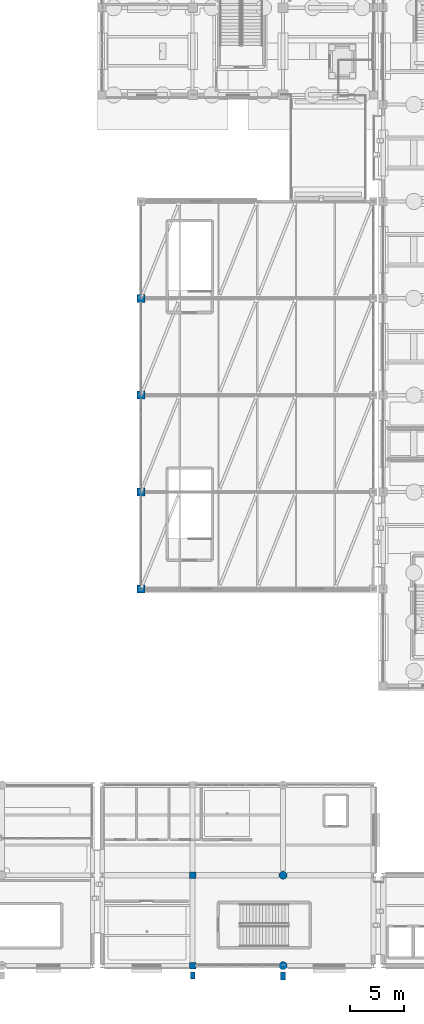
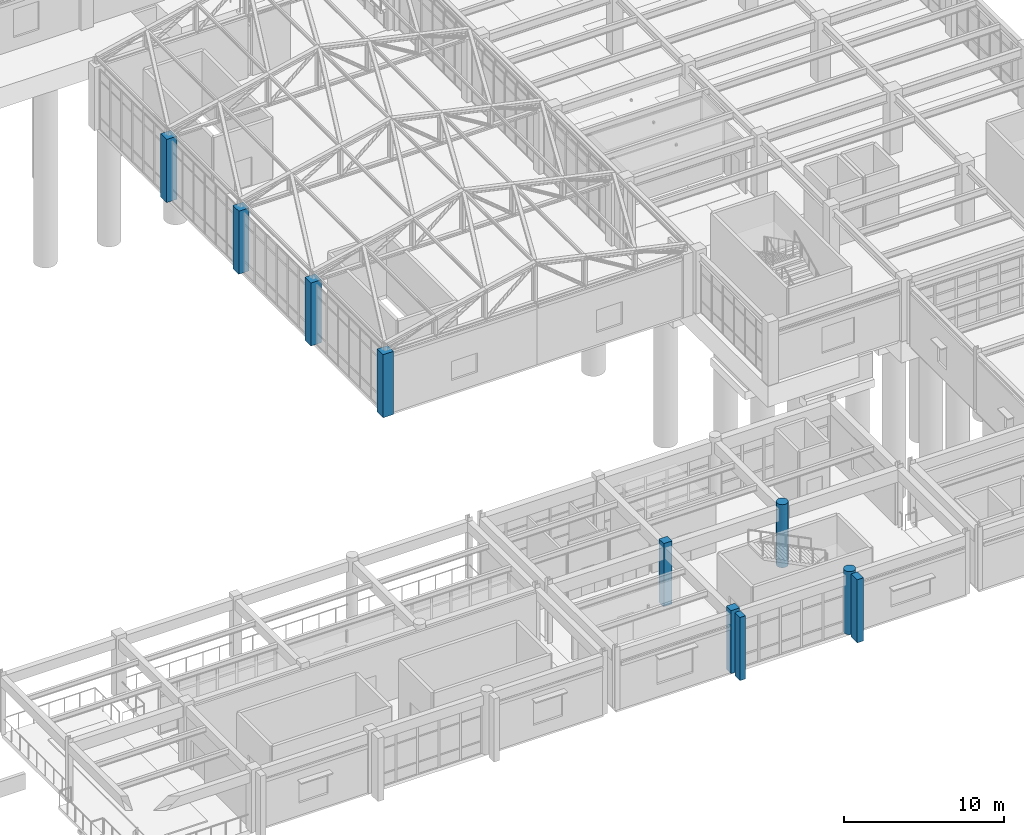
# One storey, part 4 of 139: 10 columns.
"""IFC4 building model written with IfcOpenShell, lengths in metres."""

from ifc_helpers import new_model, si_unit, direction, frame, origin, origin_2d, place, context, subcontext, project, spatial, rectangle, circle, extrude, material, material_profile, profile_set, type_object, element, save


model = new_model("IFC4")

# Units and contexts
model_context = context("Model", 3, precision=1e-05, world=origin(), true_north=direction((0.0, 1.0)))
body_context = subcontext(model_context, "Body", "Model", "MODEL_VIEW")
ifc_project = project(units=[si_unit("LENGTHUNIT", "METRE"), si_unit("AREAUNIT", "SQUARE_METRE"), si_unit("VOLUMEUNIT", "CUBIC_METRE"), si_unit("PLANEANGLEUNIT", "RADIAN"), si_unit("MASSUNIT", "GRAM", prefix="KILO")], contexts=[model_context])

# Site, building, storey
site_placement = place(None, origin())
site = spatial("IfcSite", under=ifc_project, at=site_placement, CompositionType="ELEMENT")
building_placement = place(site_placement, origin())
building = spatial("IfcBuilding", under=site, at=building_placement, Name="Canglan Escarpment Cableway Terminal", CompositionType="ELEMENT")
storey_placement = place(building_placement, frame((0.0, 0.0, 14.39990234375)))
storey = spatial("IfcBuildingStorey", under=building, at=storey_placement, Name="L03", CompositionType="ELEMENT", Elevation=14.39990234375)

# Columns
ifc_material = material(Name="Concrete C40", Category="concrete")
ifc_material_profile_1 = material_profile(ifc_material, rectangle(XDim=0.60009765625, YDim=0.60009765625, at=origin_2d()), Name="RC 600x600")
ifc_profile_set_1 = profile_set([ifc_material_profile_1], Name="Concrete C40")
column_type_1 = type_object("IfcColumnType", Name="COL-RC600-C40", PredefinedType="COLUMN", material=ifc_profile_set_1)
for number, where, z_axis, x_axis, name in (
    (1, (119.89990234375, 8.0, 0.0), (0.0, 0.0, 1.0), (1.0, 0.0, 0.0), "Structural column C-05"),
    (2, (119.89990234375, 16.39990234375, 0.0), (0.0, 0.0, 1.0), (1.0, 0.0, 0.0), "Structural column C-05"),
):
    element("IfcColumn", number, at=place(storey_placement, frame(where, z_axis=z_axis, x_axis=x_axis)), inside=storey, type_object=column_type_1, Name=name, PredefinedType="COLUMN", context=body_context, shape_type="SweptSolid", body=[
        extrude(rectangle(XDim=0.60009765625, YDim=0.60009765625, at=origin_2d()), origin(), (0.0, 0.0, 1.0), 4.800048828125),
    ])
ifc_material_profile_2 = material_profile(ifc_material, rectangle(XDim=0.75, YDim=0.75, at=origin_2d()), Name="RC 750x750")
ifc_profile_set_2 = profile_set([ifc_material_profile_2], Name="Concrete C40")
column_type_2 = type_object("IfcColumnType", Name="COL-RC750-C40", PredefinedType="COLUMN", material=ifc_profile_set_2)
for number, where, z_axis, x_axis, name in (
    (3, (115.10009765625, 43.0, 0.0), (0.0, 0.0, 1.0), (1.0, 0.0, 0.0), "Structural column C-03"),
    (4, (115.10009765625, 52.0, 0.0), (0.0, 0.0, 1.0), (1.0, 0.0, 0.0), "Structural column C-03"),
    (5, (115.10009765625, 61.0, 0.0), (0.0, 0.0, 1.0), (1.0, 0.0, 0.0), "Structural column C-03"),
    (6, (115.10009765625, 70.0, 0.0), (0.0, 0.0, 1.0), (1.0, 0.0, 0.0), "Structural column C-03"),
):
    element("IfcColumn", number, at=place(storey_placement, frame(where, z_axis=z_axis, x_axis=x_axis)), inside=storey, type_object=column_type_2, Name=name, PredefinedType="COLUMN", context=body_context, shape_type="SweptSolid", body=[
        extrude(rectangle(XDim=0.75, YDim=0.75, at=origin_2d()), origin(), (0.0, 0.0, 1.0), 4.800048828125),
    ])
ifc_material_profile_3 = material_profile(ifc_material, circle(Radius=0.375, at=origin_2d()), Name="RC-CIRC D750")
ifc_profile_set_3 = profile_set([ifc_material_profile_3], Name="Concrete C40")
column_type_3 = type_object("IfcColumnType", Name="COL-RCC750-C40", PredefinedType="COLUMN", material=ifc_profile_set_3)
for number, where, z_axis, x_axis, name in (
    (7, (128.300048828125, 8.0, 0.0), (0.0, 0.0, 1.0), (1.0, 0.0, 0.0), "Structural column C-07"),
    (8, (128.300048828125, 16.39990234375, 0.0), (0.0, 0.0, 1.0), (1.0, 0.0, 0.0), "Structural column C-07"),
):
    element("IfcColumn", number, at=place(storey_placement, frame(where, z_axis=z_axis, x_axis=x_axis)), inside=storey, type_object=column_type_3, Name=name, PredefinedType="COLUMN", context=body_context, shape_type="SweptSolid", body=[
        extrude(circle(Radius=0.375, at=origin_2d()), origin(), (0.0, 0.0, 1.0), 4.800048828125),
    ])
ifc_material_profile_4 = material_profile(ifc_material, rectangle(XDim=0.39990234375, YDim=0.64990234375, at=origin_2d()), Name="RC-PIL 400x650")
ifc_profile_set_4 = profile_set([ifc_material_profile_4], Name="Concrete C40")
column_type_4 = type_object("IfcColumnType", Name="PIL-RC400x650", PredefinedType="PILASTER", material=ifc_profile_set_4)
column_1_placement = place(storey_placement, frame((119.89990234375, 7.094970703125, 0.0), z_axis=(0.0, 0.0, 1.0), x_axis=(1.0, 0.0, 0.0)))
element("IfcColumn", 9, at=column_1_placement, inside=storey, type_object=column_type_4, Name="Neoclassical engaged pilaster PL-02", PredefinedType="PILASTER", context=body_context, shape_type="SweptSolid", body=[
    extrude(rectangle(XDim=0.39990234375, YDim=0.64990234375, at=origin_2d()), origin(), (0.0, 0.0, 1.0), 4.800048828125),
])
ifc_material_profile_5 = material_profile(ifc_material, rectangle(XDim=0.449951171875, YDim=0.75, at=origin_2d()), Name="RC-PIL 450x750")
ifc_profile_set_5 = profile_set([ifc_material_profile_5], Name="Concrete C40")
column_type_5 = type_object("IfcColumnType", Name="PIL-RC450x750", PredefinedType="PILASTER", material=ifc_profile_set_5)
column_2_placement = place(storey_placement, frame((128.300048828125, 7.044921875, 0.0), z_axis=(0.0, 0.0, 1.0), x_axis=(1.0, 0.0, 0.0)))
element("IfcColumn", 10, at=column_2_placement, inside=storey, type_object=column_type_5, Name="Neoclassical engaged pilaster PL-01", PredefinedType="PILASTER", context=body_context, shape_type="SweptSolid", body=[
    extrude(rectangle(XDim=0.449951171875, YDim=0.75, at=origin_2d()), origin(), (0.0, 0.0, 1.0), 4.800048828125),
])

save(model, "model.ifc")
